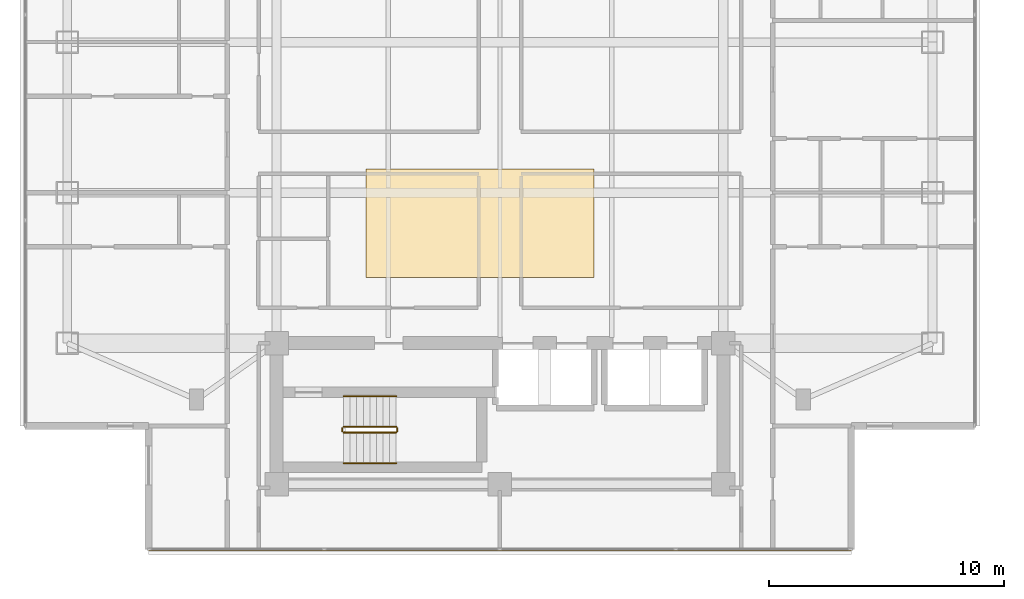
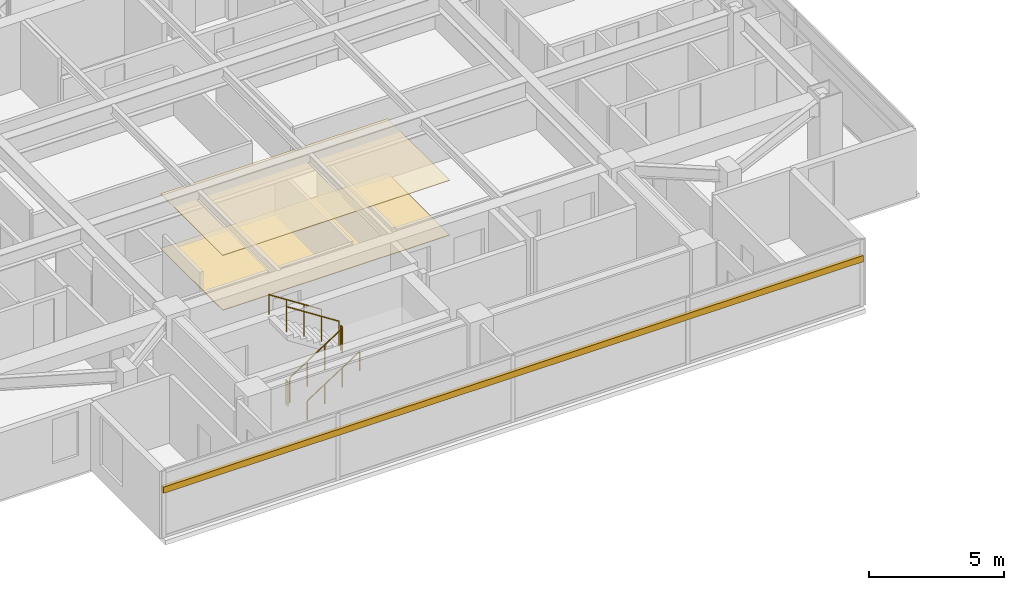
# One storey, part 19 of 24: 6 railings, 2 coverings, 1 shading device.
"""IFC4 building model written with IfcOpenShell, lengths in metres."""

from ifc_helpers import new_model, si_unit, direction, frame, origin, origin_2d, place, context, subcontext, project, spatial, polyline, rectangle, circle, outline, extrude, material, layer, layer_set, material_profile, profile_set, type_object, element, save


model = new_model("IFC4")

# Units and contexts
model_context = context("Model", 3, precision=1e-05, world=origin(), true_north=direction((0.0, 1.0)))
body_context = subcontext(model_context, "Body", "Model", "MODEL_VIEW")
ifc_project = project(units=[si_unit("LENGTHUNIT", "METRE"), si_unit("AREAUNIT", "SQUARE_METRE"), si_unit("VOLUMEUNIT", "CUBIC_METRE"), si_unit("PLANEANGLEUNIT", "RADIAN"), si_unit("MASSUNIT", "GRAM", prefix="KILO")], contexts=[model_context])

# Site, building, storey
site_placement = place(None, origin())
site = spatial("IfcSite", under=ifc_project, at=site_placement, CompositionType="ELEMENT")
building_placement = place(site_placement, origin())
building = spatial("IfcBuilding", under=site, at=building_placement, Name="Mirazonda Arch Towers", CompositionType="ELEMENT")
storey_placement = place(building_placement, frame((0.0, 0.0, 160.89990234375)))
storey = spatial("IfcBuildingStorey", under=building, at=storey_placement, Name="L45", CompositionType="ELEMENT", Elevation=160.89990234375)

# Shading device
ifc_material_1 = material(Name="Kiln-Fired Architectural Terracotta", Category="masonry")
ifc_material_profile = material_profile(ifc_material_1, rectangle(XDim=0.139892578125, YDim=0.280029296875, at=origin_2d()), Name="TERRA-BAG-140x280")
ifc_profile_set = profile_set([ifc_material_profile], Name="Kiln-Fired Architectural Terracotta")
shading_device_type = type_object("IfcShadingDeviceType", Name="BAGUETTE-3", PredefinedType="USERDEFINED", material=ifc_profile_set)
shading_device_placement = place(storey_placement, frame((35.445068359375, 9.634033203125, 2.181640625), z_axis=(-1.0, 0.0, 0.0), x_axis=(0.0, -1.0, 0.0)))
element("IfcShadingDevice", 1, at=shading_device_placement, inside=storey, type_object=shading_device_type, Name="L45 Glazed Terracotta Sun-Screen Baguette CW-L45-T1-S", ObjectType="BAGUETTE", PredefinedType="USERDEFINED", context=body_context, shape_type="SweptSolid", body=[
    extrude(rectangle(XDim=0.139892578125, YDim=0.280029296875, at=origin_2d()), origin(), (0.0, 0.0, 1.0), 29.89013671875),
])

# Coverings
ifc_material_2 = material(Name="Acoustic Mineral Fibre Ceiling")
ifc_layer_1 = layer(ifc_material_2, 0.02490234375, Name="COV-CEIL-ACOUSTIC")
ifc_layer_set_1 = layer_set([ifc_layer_1], Name="Acoustic Mineral Fibre Ceiling")
covering_type_1 = type_object("IfcCoveringType", Name="COV-CEIL-ACOUSTIC", PredefinedType="CEILING", material=ifc_layer_set_1)
covering_1_placement = place(storey_placement, frame((0.0, 0.0, 2.47509765625)))
element("IfcCovering", 2, at=covering_1_placement, inside=storey, type_object=covering_type_1, Name="L45 Suspended Acoustic Ceiling", PredefinedType="CEILING", context=body_context, shape_type="SweptSolid", body=[
    extrude(outline(polyline([(14.800048828125, 21.199951171875), (24.5, 21.199951171875), (24.5, 25.800048828125), (14.800048828125, 25.800048828125), (14.800048828125, 21.199951171875)])), origin(), (0.0, 0.0, 1.0), 0.02490234375),
])
ifc_material_3 = material(Name="Polished Terrazzo Stone Finish", Category="masonry")
ifc_layer_2 = layer(ifc_material_3, 0.030029296875, Name="COV-FLOOR-STONE")
ifc_layer_set_2 = layer_set([ifc_layer_2], Name="Polished Terrazzo Stone Finish")
covering_type_2 = type_object("IfcCoveringType", Name="COV-FLOOR-STONE", PredefinedType="FLOORING", material=ifc_layer_set_2)
covering_2_placement = place(storey_placement, origin())
element("IfcCovering", 3, at=covering_2_placement, inside=storey, type_object=covering_type_2, Name="L45 Polished Terrazzo Lobby Flooring", PredefinedType="FLOORING", context=body_context, shape_type="SweptSolid", body=[
    extrude(outline(polyline([(14.800048828125, 21.199951171875), (24.5, 21.199951171875), (24.5, 25.800048828125), (14.800048828125, 25.800048828125), (14.800048828125, 21.199951171875)])), origin(), (0.0, 0.0, 1.0), 0.030029296875),
])

# Railings
ifc_material_4 = material(Name="Architectural Brushed Steel S355", Category="steel")
railing_type_1 = type_object("IfcRailingType", Name="GUARD-STAIR-1120", PredefinedType="GUARDRAIL", material=ifc_material_4)
railing_1_placement = place(storey_placement, frame((13.85009765625, 14.60009765625, 0.1806640625)))
element("IfcRailing", 4, at=railing_1_placement, inside=storey, type_object=railing_type_1, Name="L45 ST-T1S stair guard 1", PredefinedType="GUARDRAIL", context=body_context, shape_type="SweptSolid", body=[
    extrude(circle(Radius=0.02392578125, at=origin_2d()), frame((0.0, 0.0, 1.1259765625), z_axis=(0.840436612492, 0.0, 0.541909863706), x_axis=(0.0, 1.0, 0.0)), (0.0, 0.0, 1.0), 2.665283203125),
    extrude(circle(Radius=0.02099609375, at=origin_2d()), origin(), (0.0, 0.0, 1.0), 1.101806640625),
    extrude(circle(Radius=0.02099609375, at=origin_2d()), frame((0.74658203125, 0.0, 0.4814453125)), (0.0, 0.0, 1.0), 1.101806640625),
    extrude(circle(Radius=0.02099609375, at=origin_2d()), frame((1.493408203125, 0.0, 0.962890625)), (0.0, 0.0, 1.0), 1.101806640625),
    extrude(circle(Radius=0.02099609375, at=origin_2d()), frame((2.239990234375, 0.0, 1.4443359375)), (0.0, 0.0, 1.0), 1.101806640625),
])
railing_2_placement = place(storey_placement, frame((16.139892578125, 14.64990234375, 1.625)))
element("IfcRailing", 5, at=railing_2_placement, inside=storey, type_object=railing_type_1, Name="L45 ST-T1S stair guard 2", PredefinedType="GUARDRAIL", context=body_context, shape_type="SweptSolid", body=[
    extrude(circle(Radius=0.02392578125, at=origin_2d()), frame((0.0, 0.0, 1.1259765625), z_axis=(0.0, 1.0, 0.0), x_axis=(-1.0, 0.0, 0.0)), (0.0, 0.0, 1.0), 0.14013671875),
    extrude(circle(Radius=0.02099609375, at=origin_2d()), origin(), (0.0, 0.0, 1.0), 1.101806640625),
    extrude(circle(Radius=0.02099609375, at=origin_2d()), frame((0.0, 0.14013671875, 0.0)), (0.0, 0.0, 1.0), 1.101806640625),
])
railing_3_placement = place(storey_placement, frame((16.090087890625, 14.840087890625, 1.8056640625)))
element("IfcRailing", 6, at=railing_3_placement, inside=storey, type_object=railing_type_1, Name="L45 ST-T1S stair guard 3", PredefinedType="GUARDRAIL", context=body_context, shape_type="SweptSolid", body=[
    extrude(circle(Radius=0.02392578125, at=origin_2d()), frame((0.0, 0.0, 1.1259765625), z_axis=(-0.840436612492, 0.0, 0.541909863706), x_axis=(0.0, -1.0, 0.0)), (0.0, 0.0, 1.0), 2.665283203125),
    extrude(circle(Radius=0.02099609375, at=origin_2d()), origin(), (0.0, 0.0, 1.0), 1.101806640625),
    extrude(circle(Radius=0.02099609375, at=origin_2d()), frame((-0.74658203125, 0.0, 0.4814453125)), (0.0, 0.0, 1.0), 1.101806640625),
    extrude(circle(Radius=0.02099609375, at=origin_2d()), frame((-1.493408203125, 0.0, 0.962890625)), (0.0, 0.0, 1.0), 1.101806640625),
    extrude(circle(Radius=0.02099609375, at=origin_2d()), frame((-2.239990234375, 0.0, 1.4443359375)), (0.0, 0.0, 1.0), 1.101806640625),
])
railing_4_placement = place(storey_placement, frame((13.800048828125, 14.64990234375, 0.0)))
element("IfcRailing", 7, at=railing_4_placement, inside=storey, type_object=railing_type_1, Name="L45 ST-T1S stair guard 4", PredefinedType="GUARDRAIL", context=body_context, shape_type="SweptSolid", body=[
    extrude(circle(Radius=0.02392578125, at=origin_2d()), frame((0.0, 0.0, 1.1259765625), z_axis=(0.0, 1.0, 0.0), x_axis=(-1.0, 0.0, 0.0)), (0.0, 0.0, 1.0), 0.14013671875),
    extrude(circle(Radius=0.02099609375, at=origin_2d()), origin(), (0.0, 0.0, 1.0), 1.101806640625),
    extrude(circle(Radius=0.02099609375, at=origin_2d()), frame((0.0, 0.14013671875, 0.0)), (0.0, 0.0, 1.0), 1.101806640625),
])
railing_type_2 = type_object("IfcRailingType", Name="HANDRAIL-915", PredefinedType="HANDRAIL", material=ifc_material_4)
railing_5_placement = place(storey_placement, frame((13.85009765625, 13.300048828125, 0.1806640625)))
element("IfcRailing", 8, at=railing_5_placement, inside=storey, type_object=railing_type_2, Name="L45 ST-T1S stair handrail 1", PredefinedType="HANDRAIL", context=body_context, shape_type="SweptSolid", body=[
    extrude(circle(Radius=0.02392578125, at=origin_2d()), frame((0.0, 0.0, 0.8759765625), z_axis=(0.840436612492, 0.0, 0.541909863706), x_axis=(0.0, 1.0, 0.0)), (0.0, 0.0, 1.0), 2.665283203125),
    extrude(circle(Radius=0.02099609375, at=origin_2d()), origin(), (0.0, 0.0, 1.0), 0.851806640625),
    extrude(circle(Radius=0.02099609375, at=origin_2d()), frame((0.74658203125, 0.0, 0.4814453125)), (0.0, 0.0, 1.0), 0.851806640625),
    extrude(circle(Radius=0.02099609375, at=origin_2d()), frame((1.493408203125, 0.0, 0.962890625)), (0.0, 0.0, 1.0), 0.851806640625),
    extrude(circle(Radius=0.02099609375, at=origin_2d()), frame((2.239990234375, 0.0, 1.4443359375)), (0.0, 0.0, 1.0), 0.851806640625),
])
railing_6_placement = place(storey_placement, frame((16.090087890625, 16.139892578125, 1.8056640625)))
element("IfcRailing", 9, at=railing_6_placement, inside=storey, type_object=railing_type_2, Name="L45 ST-T1S stair handrail 2", PredefinedType="HANDRAIL", context=body_context, shape_type="SweptSolid", body=[
    extrude(circle(Radius=0.02392578125, at=origin_2d()), frame((0.0, 0.0, 0.8759765625), z_axis=(-0.840436612492, 0.0, 0.541909863706), x_axis=(0.0, -1.0, 0.0)), (0.0, 0.0, 1.0), 2.665283203125),
    extrude(circle(Radius=0.02099609375, at=origin_2d()), origin(), (0.0, 0.0, 1.0), 0.851806640625),
    extrude(circle(Radius=0.02099609375, at=origin_2d()), frame((-0.74658203125, 0.0, 0.4814453125)), (0.0, 0.0, 1.0), 0.851806640625),
    extrude(circle(Radius=0.02099609375, at=origin_2d()), frame((-1.493408203125, 0.0, 0.962890625)), (0.0, 0.0, 1.0), 0.851806640625),
    extrude(circle(Radius=0.02099609375, at=origin_2d()), frame((-2.239990234375, 0.0, 1.4443359375)), (0.0, 0.0, 1.0), 0.851806640625),
])

save(model, "model.ifc")
